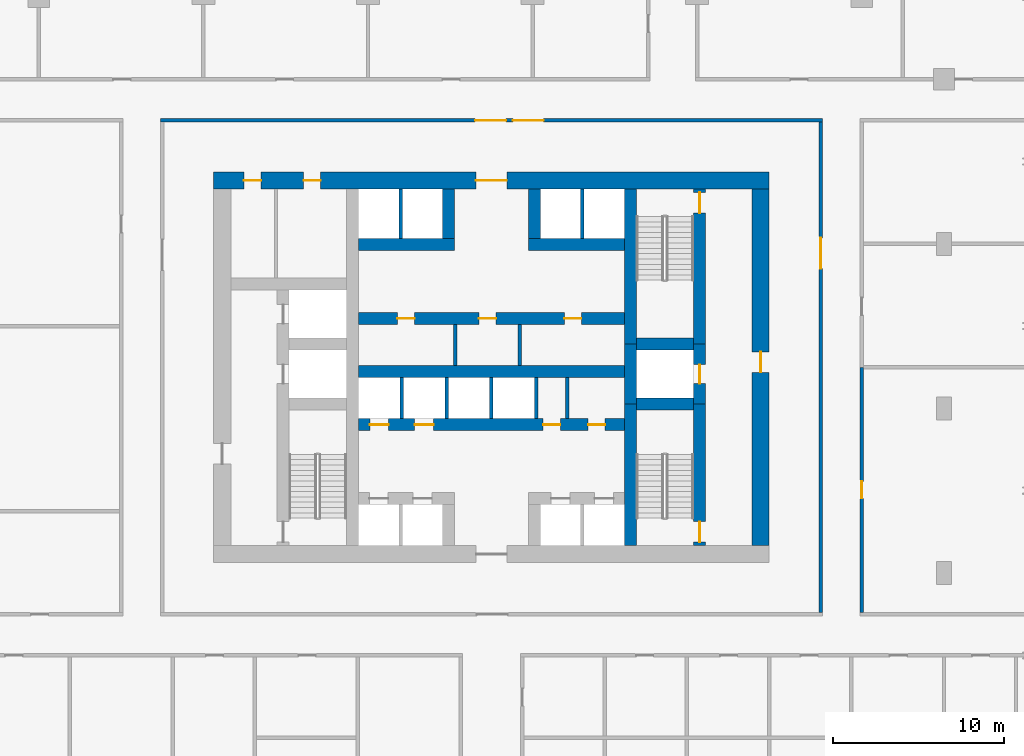
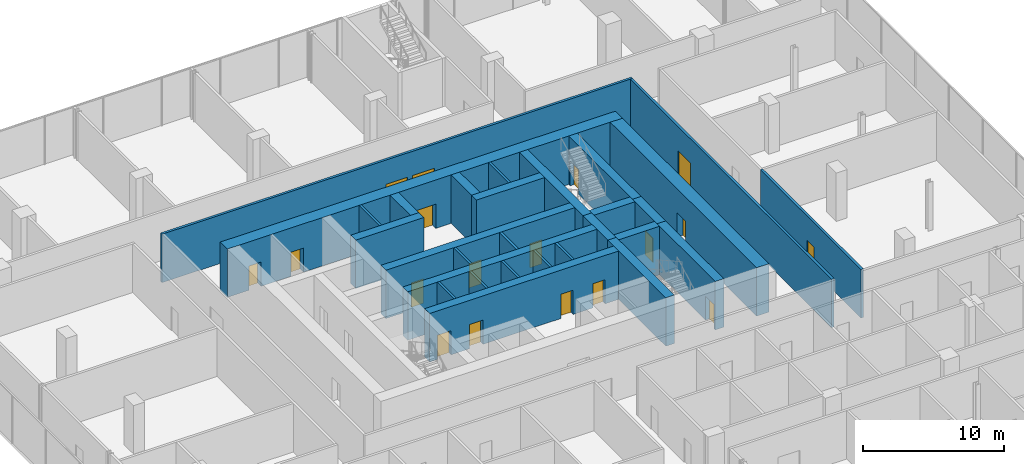
# One storey, part 36 of 45: 29 walls, 18 doors, 18 openings.
"""IFC4 building model written with IfcOpenShell, lengths in metres."""

from ifc_helpers import new_model, si_unit, direction, frame, frame_2d, origin, place, context, subcontext, project, spatial, rectangle, extrude, material, layer, layer_set, type_object, element, fill, save


model = new_model("IFC4")

# Units and contexts
model_context = context("Model", 3, precision=1e-05, world=origin(), true_north=direction((0.0, 1.0)))
body_context = subcontext(model_context, "Body", "Model", "MODEL_VIEW")
ifc_project = project(units=[si_unit("LENGTHUNIT", "METRE"), si_unit("AREAUNIT", "SQUARE_METRE"), si_unit("VOLUMEUNIT", "CUBIC_METRE"), si_unit("PLANEANGLEUNIT", "RADIAN"), si_unit("MASSUNIT", "GRAM", prefix="KILO")], contexts=[model_context])

# Site, building, storey
site_placement = place(None, origin())
site = spatial("IfcSite", under=ifc_project, at=site_placement, CompositionType="ELEMENT")
building_placement = place(site_placement, origin())
building = spatial("IfcBuilding", under=site, at=building_placement, Name="Madar Terraces", CompositionType="ELEMENT")
storey_placement = place(building_placement, frame((0.0, 0.0, 6.0)))
storey = spatial("IfcBuildingStorey", under=building, at=storey_placement, Name="L01", CompositionType="ELEMENT", Elevation=6.0)

# Walls
ifc_material_1 = material(Name="Concrete C80/95", Category="concrete")
ifc_layer_1 = layer(ifc_material_1, 0.699951171875)
ifc_layer_set_1 = layer_set([ifc_layer_1], Name="Concrete C80/95 (CIW1 RC wall 700)")
wall_type_1 = type_object("IfcWallType", Name="CIW1 RC wall 700", PredefinedType="SHEAR", material=ifc_layer_set_1)
wall_1_placement = place(storey_placement, frame((39.300048828125, 16.0, 0.0), z_axis=(0.0, 0.0, 1.0), x_axis=(0.0, 1.0, 0.0)))
element("IfcWall", 1, at=wall_1_placement, inside=storey, type_object=wall_type_1, Name="CORE SHAFT WALL", PredefinedType="SHEAR", context=body_context, shape_type="SweptSolid", body=[
    extrude(rectangle(XDim=8.25, YDim=0.699951171875, at=frame_2d((4.125, 0.0))), origin(), (0.0, 0.0, 1.0), 4.199951171875),
])
wall_2_placement = place(storey_placement, frame((39.300048828125, 24.25, 0.0), z_axis=(0.0, 0.0, 1.0), x_axis=(0.0, 1.0, 0.0)))
element("IfcWall", 2, at=wall_2_placement, inside=storey, type_object=wall_type_1, Name="CORE SHAFT WALL", PredefinedType="SHEAR", context=body_context, shape_type="SweptSolid", body=[
    extrude(rectangle(XDim=3.5, YDim=0.699951171875, at=frame_2d((1.75, 0.0))), origin(), (0.0, 0.0, 1.0), 4.199951171875),
])
wall_3_placement = place(storey_placement, frame((39.300048828125, 27.75, 0.0), z_axis=(0.0, 0.0, 1.0), x_axis=(0.0, 1.0, 0.0)))
element("IfcWall", 3, at=wall_3_placement, inside=storey, type_object=wall_type_1, Name="CORE SHAFT WALL", PredefinedType="SHEAR", context=body_context, shape_type="SweptSolid", body=[
    extrude(rectangle(XDim=9.050048828125, YDim=0.699951171875, at=frame_2d((4.52490234375, 0.0))), origin(), (0.0, 0.0, 1.0), 4.199951171875),
])

# Wall, opening, door
wall_4_placement = place(storey_placement, frame((43.35009765625, 16.0, 0.0), z_axis=(0.0, 0.0, 1.0), x_axis=(0.0, 1.0, 0.0)))
wall_4 = element("IfcWall", 4, at=wall_4_placement, inside=storey, type_object=wall_type_1, Name="CORE SHAFT WALL", PredefinedType="SHEAR", context=body_context, shape_type="SweptSolid", body=[
    extrude(rectangle(XDim=8.25, YDim=0.699951171875, at=frame_2d((4.125, 0.0))), origin(), (0.0, 0.0, 1.0), 4.199951171875),
])
opening_1_placement = place(wall_4_placement, frame((0.199951171875, 0.0, 0.0)))
opening_1 = element("IfcOpeningElement", 5, at=opening_1_placement, cuts=wall_4, Name="Opening SD1", PredefinedType="OPENING", context=body_context, shape_type="SweptSolid", body=[
    extrude(rectangle(XDim=1.199951171875, YDim=2.10009765625, at=frame_2d((0.60009765625, 1.050048828125))), frame((0.0, 0.35986328125, 0.0), z_axis=(0.0, -1.0, 0.0), x_axis=(1.0, 0.0, 0.0)), (0.0, 0.0, 1.0), 0.719970703125),
])
ifc_material_2 = material(Name="Steel door leaf", Category="steel")
door_type_1 = type_object("IfcDoorType", Name="Stair door 1200 x 2100", OperationType="NOTDEFINED", PredefinedType="DOOR", material=ifc_material_2)
door_1_placement = place(opening_1_placement, origin())
door_1 = element("IfcDoor", 6, at=door_1_placement, inside=storey, type_object=door_type_1, Name="STAIR DOOR", OperationType="SINGLE_SWING_RIGHT", OverallHeight=2.10009765625, OverallWidth=1.199951171875, PredefinedType="DOOR", context=body_context, shape_type="SweptSolid", body=[
    extrude(rectangle(XDim=1.199951171875, YDim=2.10009765625, at=frame_2d((0.60009765625, 1.050048828125))), frame((0.0, 0.02490234375, 0.0), z_axis=(0.0, -1.0, 0.0), x_axis=(1.0, 0.0, 0.0)), (0.0, 0.0, 1.0), 0.050048828125),
])
fill(opening_1, door_1)

wall_5_placement = place(storey_placement, frame((43.35009765625, 24.25, 0.0), z_axis=(0.0, 0.0, 1.0), x_axis=(0.0, 1.0, 0.0)))
wall_5 = element("IfcWall", 7, at=wall_5_placement, inside=storey, type_object=wall_type_1, Name="CORE SHAFT WALL", PredefinedType="SHEAR", context=body_context, shape_type="SweptSolid", body=[
    extrude(rectangle(XDim=3.5, YDim=0.699951171875, at=frame_2d((1.75, 0.0))), origin(), (0.0, 0.0, 1.0), 4.199951171875),
])
opening_2_placement = place(wall_5_placement, frame((1.199951171875, 0.0, 0.0)))
opening_2 = element("IfcOpeningElement", 8, at=opening_2_placement, cuts=wall_5, Name="Opening LD", PredefinedType="OPENING", context=body_context, shape_type="SweptSolid", body=[
    extrude(rectangle(XDim=1.10009765625, YDim=2.10009765625, at=frame_2d((0.550048828125, 1.050048828125))), frame((0.0, 0.35986328125, 0.0), z_axis=(0.0, -1.0, 0.0), x_axis=(1.0, 0.0, 0.0)), (0.0, 0.0, 1.0), 0.719970703125),
])
ifc_material_3 = material(Name="Stainless steel panel", Category="steel")
door_type_2 = type_object("IfcDoorType", Name="Lift landing door 1100 x 2100", OperationType="DOUBLE_DOOR_SLIDING", PredefinedType="DOOR", material=ifc_material_3)
door_2_placement = place(opening_2_placement, origin())
door_2 = element("IfcDoor", 9, at=door_2_placement, inside=storey, type_object=door_type_2, Name="LIFT LANDING DOOR", OperationType="DOUBLE_DOOR_SLIDING", OverallHeight=2.10009765625, OverallWidth=1.10009765625, PredefinedType="DOOR", context=body_context, shape_type="SweptSolid", body=[
    extrude(rectangle(XDim=1.10009765625, YDim=2.10009765625, at=frame_2d((0.550048828125, 1.050048828125))), frame((0.0, 0.02490234375, 0.0), z_axis=(0.0, -1.0, 0.0), x_axis=(1.0, 0.0, 0.0)), (0.0, 0.0, 1.0), 0.050048828125),
])
fill(opening_2, door_2)

wall_6_placement = place(storey_placement, frame((43.35009765625, 27.75, 0.0), z_axis=(0.0, 0.0, 1.0), x_axis=(0.0, 1.0, 0.0)))
wall_6 = element("IfcWall", 10, at=wall_6_placement, inside=storey, type_object=wall_type_1, Name="CORE SHAFT WALL", PredefinedType="SHEAR", context=body_context, shape_type="SweptSolid", body=[
    extrude(rectangle(XDim=9.050048828125, YDim=0.699951171875, at=frame_2d((4.52490234375, 0.0))), origin(), (0.0, 0.0, 1.0), 4.199951171875),
])
opening_3_placement = place(wall_6_placement, frame((7.64990234375, 0.0, 0.0)))
opening_3 = element("IfcOpeningElement", 11, at=opening_3_placement, cuts=wall_6, Name="Opening SD1", PredefinedType="OPENING", context=body_context, shape_type="SweptSolid", body=[
    extrude(rectangle(XDim=1.199951171875, YDim=2.10009765625, at=frame_2d((0.60009765625, 1.050048828125))), frame((0.0, 0.35986328125, 0.0), z_axis=(0.0, -1.0, 0.0), x_axis=(1.0, 0.0, 0.0)), (0.0, 0.0, 1.0), 0.719970703125),
])
door_3_placement = place(opening_3_placement, origin())
door_3 = element("IfcDoor", 12, at=door_3_placement, inside=storey, type_object=door_type_1, Name="STAIR DOOR", OperationType="SINGLE_SWING_LEFT", OverallHeight=2.10009765625, OverallWidth=1.199951171875, PredefinedType="DOOR", context=body_context, shape_type="SweptSolid", body=[
    extrude(rectangle(XDim=1.199951171875, YDim=2.10009765625, at=frame_2d((0.60009765625, 1.050048828125))), frame((0.0, 0.02490234375, 0.0), z_axis=(0.0, -1.0, 0.0), x_axis=(1.0, 0.0, 0.0)), (0.0, 0.0, 1.0), 0.050048828125),
])
fill(opening_3, door_3)

# Walls
for number, where, z_axis, x_axis, name in (
    (13, (39.64990234375, 24.25, 0.0), (0.0, 0.0, 1.0), (1.0, 0.0, 0.0), "CORE SHAFT WALL"),
    (14, (39.64990234375, 27.75, 0.0), (0.0, 0.0, 1.0), (1.0, 0.0, 0.0), "CORE SHAFT WALL"),
):
    element("IfcWall", number, at=place(storey_placement, frame(where, z_axis=z_axis, x_axis=x_axis)), inside=storey, type_object=wall_type_1, Name=name, PredefinedType="SHEAR", context=body_context, shape_type="SweptSolid", body=[
        extrude(rectangle(XDim=3.35009765625, YDim=0.699951171875, at=frame_2d((1.675048828125, 0.0))), origin(), (0.0, 0.0, 1.0), 4.199951171875),
    ])

# Wall, openings, doors
wall_7_placement = place(storey_placement, frame((23.449951171875, 23.050048828125, 0.0), z_axis=(0.0, 0.0, 1.0), x_axis=(1.0, 0.0, 0.0)))
wall_7 = element("IfcWall", 15, at=wall_7_placement, inside=storey, type_object=wall_type_1, Name="CORE SHAFT WALL", PredefinedType="SHEAR", context=body_context, shape_type="SweptSolid", body=[
    extrude(rectangle(XDim=15.5, YDim=0.699951171875, at=frame_2d((7.75, 0.0))), origin(), (0.0, 0.0, 1.0), 4.199951171875),
])
opening_4_placement = place(wall_7_placement, frame((0.658447265625, 0.0, 0.0)))
opening_4 = element("IfcOpeningElement", 16, at=opening_4_placement, cuts=wall_7, Name="Opening LD", PredefinedType="OPENING", context=body_context, shape_type="SweptSolid", body=[
    extrude(rectangle(XDim=1.10009765625, YDim=2.10009765625, at=frame_2d((0.550048828125, 1.050048828125))), frame((0.0, 0.35986328125, 0.0), z_axis=(0.0, -1.0, 0.0), x_axis=(1.0, 0.0, 0.0)), (0.0, 0.0, 1.0), 0.719970703125),
])
opening_5_placement = place(wall_7_placement, frame((3.27490234375, 0.0, 0.0)))
opening_5 = element("IfcOpeningElement", 17, at=opening_5_placement, cuts=wall_7, Name="Opening LD", PredefinedType="OPENING", context=body_context, shape_type="SweptSolid", body=[
    extrude(rectangle(XDim=1.10009765625, YDim=2.10009765625, at=frame_2d((0.550048828125, 1.050048828125))), frame((0.0, 0.35986328125, 0.0), z_axis=(0.0, -1.0, 0.0), x_axis=(1.0, 0.0, 0.0)), (0.0, 0.0, 1.0), 0.719970703125),
])
opening_6_placement = place(wall_7_placement, frame((10.772216796875, 0.0, 0.0)))
opening_6 = element("IfcOpeningElement", 18, at=opening_6_placement, cuts=wall_7, Name="Opening KD2", PredefinedType="OPENING", context=body_context, shape_type="SweptSolid", body=[
    extrude(rectangle(XDim=1.0, YDim=2.10009765625, at=frame_2d((0.5, 1.050048828125))), frame((0.0, 0.35986328125, 0.0), z_axis=(0.0, -1.0, 0.0), x_axis=(1.0, 0.0, 0.0)), (0.0, 0.0, 1.0), 0.719970703125),
])
opening_7_placement = place(wall_7_placement, frame((13.388916015625, 0.0, 0.0)))
opening_7 = element("IfcOpeningElement", 19, at=opening_7_placement, cuts=wall_7, Name="Opening KD2", PredefinedType="OPENING", context=body_context, shape_type="SweptSolid", body=[
    extrude(rectangle(XDim=1.0, YDim=2.10009765625, at=frame_2d((0.5, 1.050048828125))), frame((0.0, 0.35986328125, 0.0), z_axis=(0.0, -1.0, 0.0), x_axis=(1.0, 0.0, 0.0)), (0.0, 0.0, 1.0), 0.719970703125),
])
door_4_placement = place(opening_4_placement, origin())
door_4 = element("IfcDoor", 20, at=door_4_placement, inside=storey, type_object=door_type_2, Name="LIFT LANDING DOOR", OperationType="DOUBLE_DOOR_SLIDING", OverallHeight=2.10009765625, OverallWidth=1.10009765625, PredefinedType="DOOR", context=body_context, shape_type="SweptSolid", body=[
    extrude(rectangle(XDim=1.10009765625, YDim=2.10009765625, at=frame_2d((0.550048828125, 1.050048828125))), frame((0.0, 0.02490234375, 0.0), z_axis=(0.0, -1.0, 0.0), x_axis=(1.0, 0.0, 0.0)), (0.0, 0.0, 1.0), 0.050048828125),
])
fill(opening_4, door_4)
door_5_placement = place(opening_5_placement, origin())
door_5 = element("IfcDoor", 21, at=door_5_placement, inside=storey, type_object=door_type_2, Name="LIFT LANDING DOOR", OperationType="DOUBLE_DOOR_SLIDING", OverallHeight=2.10009765625, OverallWidth=1.10009765625, PredefinedType="DOOR", context=body_context, shape_type="SweptSolid", body=[
    extrude(rectangle(XDim=1.10009765625, YDim=2.10009765625, at=frame_2d((0.550048828125, 1.050048828125))), frame((0.0, 0.02490234375, 0.0), z_axis=(0.0, -1.0, 0.0), x_axis=(1.0, 0.0, 0.0)), (0.0, 0.0, 1.0), 0.050048828125),
])
fill(opening_5, door_5)
ifc_material_4 = material(Name="Steel door leaf", Category="steel")
door_type_3 = type_object("IfcDoorType", Name="Service room door 1000 x 2100", OperationType="NOTDEFINED", PredefinedType="DOOR", material=ifc_material_4)
door_6_placement = place(opening_6_placement, frame((1.0, 0.0, 0.0), z_axis=(0.0, 0.0, 1.0), x_axis=(-1.0, 0.0, 0.0)))
door_6 = element("IfcDoor", 22, at=door_6_placement, inside=storey, type_object=door_type_3, Name="SERVICE ROOM DOOR", OperationType="SINGLE_SWING_RIGHT", OverallHeight=2.10009765625, OverallWidth=1.0, PredefinedType="DOOR", context=body_context, shape_type="SweptSolid", body=[
    extrude(rectangle(XDim=1.0, YDim=2.10009765625, at=frame_2d((0.5, 1.050048828125))), frame((0.0, 0.02490234375, 0.0), z_axis=(0.0, -1.0, 0.0), x_axis=(1.0, 0.0, 0.0)), (0.0, 0.0, 1.0), 0.050048828125),
])
fill(opening_6, door_6)
door_7_placement = place(opening_7_placement, frame((1.0, 0.0, 0.0), z_axis=(0.0, 0.0, 1.0), x_axis=(-1.0, 0.0, 0.0)))
door_7 = element("IfcDoor", 23, at=door_7_placement, inside=storey, type_object=door_type_3, Name="SERVICE ROOM DOOR", OperationType="SINGLE_SWING_LEFT", OverallHeight=2.10009765625, OverallWidth=1.0, PredefinedType="DOOR", context=body_context, shape_type="SweptSolid", body=[
    extrude(rectangle(XDim=1.0, YDim=2.10009765625, at=frame_2d((0.5, 1.050048828125))), frame((0.0, 0.02490234375, 0.0), z_axis=(0.0, -1.0, 0.0), x_axis=(1.0, 0.0, 0.0)), (0.0, 0.0, 1.0), 0.050048828125),
])
fill(opening_7, door_7)

# Wall
wall_8_placement = place(storey_placement, frame((23.449951171875, 26.14990234375, 0.0), z_axis=(0.0, 0.0, 1.0), x_axis=(1.0, 0.0, 0.0)))
element("IfcWall", 24, at=wall_8_placement, inside=storey, type_object=wall_type_1, Name="CORE SHAFT WALL", PredefinedType="SHEAR", context=body_context, shape_type="SweptSolid", body=[
    extrude(rectangle(XDim=15.5, YDim=0.699951171875, at=frame_2d((7.75, 0.0))), origin(), (0.0, 0.0, 1.0), 4.199951171875),
])

# Wall, openings, doors
wall_9_placement = place(storey_placement, frame((23.449951171875, 29.25, 0.0), z_axis=(0.0, 0.0, 1.0), x_axis=(1.0, 0.0, 0.0)))
wall_9 = element("IfcWall", 25, at=wall_9_placement, inside=storey, type_object=wall_type_1, Name="CORE SHAFT WALL", PredefinedType="SHEAR", context=body_context, shape_type="SweptSolid", body=[
    extrude(rectangle(XDim=15.5, YDim=0.699951171875, at=frame_2d((7.75, 0.0))), origin(), (0.0, 0.0, 1.0), 4.199951171875),
])
opening_8_placement = place(wall_9_placement, frame((2.265869140625, 0.0, 0.0)))
opening_8 = element("IfcOpeningElement", 26, at=opening_8_placement, cuts=wall_9, Name="Opening KD2", PredefinedType="OPENING", context=body_context, shape_type="SweptSolid", body=[
    extrude(rectangle(XDim=1.0, YDim=2.10009765625, at=frame_2d((0.5, 1.050048828125))), frame((0.0, 0.35986328125, 0.0), z_axis=(0.0, -1.0, 0.0), x_axis=(1.0, 0.0, 0.0)), (0.0, 0.0, 1.0), 0.719970703125),
])
opening_9_placement = place(wall_9_placement, frame((7.017578125, 0.0, 0.0)))
opening_9 = element("IfcOpeningElement", 27, at=opening_9_placement, cuts=wall_9, Name="Opening KD2", PredefinedType="OPENING", context=body_context, shape_type="SweptSolid", body=[
    extrude(rectangle(XDim=1.0, YDim=2.10009765625, at=frame_2d((0.5, 1.050048828125))), frame((0.0, 0.35986328125, 0.0), z_axis=(0.0, -1.0, 0.0), x_axis=(1.0, 0.0, 0.0)), (0.0, 0.0, 1.0), 0.719970703125),
])
opening_10_placement = place(wall_9_placement, frame((12.001708984375, 0.0, 0.0)))
opening_10 = element("IfcOpeningElement", 28, at=opening_10_placement, cuts=wall_9, Name="Opening KD2", PredefinedType="OPENING", context=body_context, shape_type="SweptSolid", body=[
    extrude(rectangle(XDim=1.0, YDim=2.10009765625, at=frame_2d((0.5, 1.050048828125))), frame((0.0, 0.35986328125, 0.0), z_axis=(0.0, -1.0, 0.0), x_axis=(1.0, 0.0, 0.0)), (0.0, 0.0, 1.0), 0.719970703125),
])
door_8_placement = place(opening_8_placement, origin())
door_8 = element("IfcDoor", 29, at=door_8_placement, inside=storey, type_object=door_type_3, Name="SERVICE ROOM DOOR", OperationType="SINGLE_SWING_RIGHT", OverallHeight=2.10009765625, OverallWidth=1.0, PredefinedType="DOOR", context=body_context, shape_type="SweptSolid", body=[
    extrude(rectangle(XDim=1.0, YDim=2.10009765625, at=frame_2d((0.5, 1.050048828125))), frame((0.0, 0.02490234375, 0.0), z_axis=(0.0, -1.0, 0.0), x_axis=(1.0, 0.0, 0.0)), (0.0, 0.0, 1.0), 0.050048828125),
])
fill(opening_8, door_8)
door_9_placement = place(opening_9_placement, origin())
door_9 = element("IfcDoor", 30, at=door_9_placement, inside=storey, type_object=door_type_3, Name="SERVICE ROOM DOOR", OperationType="SINGLE_SWING_LEFT", OverallHeight=2.10009765625, OverallWidth=1.0, PredefinedType="DOOR", context=body_context, shape_type="SweptSolid", body=[
    extrude(rectangle(XDim=1.0, YDim=2.10009765625, at=frame_2d((0.5, 1.050048828125))), frame((0.0, 0.02490234375, 0.0), z_axis=(0.0, -1.0, 0.0), x_axis=(1.0, 0.0, 0.0)), (0.0, 0.0, 1.0), 0.050048828125),
])
fill(opening_9, door_9)
door_10_placement = place(opening_10_placement, origin())
door_10 = element("IfcDoor", 31, at=door_10_placement, inside=storey, type_object=door_type_3, Name="SERVICE ROOM DOOR", OperationType="SINGLE_SWING_RIGHT", OverallHeight=2.10009765625, OverallWidth=1.0, PredefinedType="DOOR", context=body_context, shape_type="SweptSolid", body=[
    extrude(rectangle(XDim=1.0, YDim=2.10009765625, at=frame_2d((0.5, 1.050048828125))), frame((0.0, 0.02490234375, 0.0), z_axis=(0.0, -1.0, 0.0), x_axis=(1.0, 0.0, 0.0)), (0.0, 0.0, 1.0), 0.050048828125),
])
fill(opening_10, door_10)

# Walls
wall_10_placement = place(storey_placement, frame((23.449951171875, 33.550048828125, 0.0), z_axis=(0.0, 0.0, 1.0), x_axis=(1.0, 0.0, 0.0)))
element("IfcWall", 32, at=wall_10_placement, inside=storey, type_object=wall_type_1, Name="CORE SHAFT WALL", PredefinedType="SHEAR", context=body_context, shape_type="SweptSolid", body=[
    extrude(rectangle(XDim=5.60009765625, YDim=0.699951171875, at=frame_2d((2.800048828125, 0.0))), origin(), (0.0, 0.0, 1.0), 4.199951171875),
])
wall_11_placement = place(storey_placement, frame((33.35009765625, 33.550048828125, 0.0), z_axis=(0.0, 0.0, 1.0), x_axis=(1.0, 0.0, 0.0)))
element("IfcWall", 33, at=wall_11_placement, inside=storey, type_object=wall_type_1, Name="CORE SHAFT WALL", PredefinedType="SHEAR", context=body_context, shape_type="SweptSolid", body=[
    extrude(rectangle(XDim=5.599853515625, YDim=0.699951171875, at=frame_2d((2.7998046875, 0.0))), origin(), (0.0, 0.0, 1.0), 4.199951171875),
])
for number, where, z_axis, x_axis, name in (
    (34, (28.699951171875, 33.89990234375, 0.0), (0.0, 0.0, 1.0), (0.0, 1.0, 0.0), "CORE SHAFT WALL"),
    (35, (33.699951171875, 33.89990234375, 0.0), (0.0, 0.0, 1.0), (0.0, 1.0, 0.0), "CORE SHAFT WALL"),
):
    element("IfcWall", number, at=place(storey_placement, frame(where, z_axis=z_axis, x_axis=x_axis)), inside=storey, type_object=wall_type_1, Name=name, PredefinedType="SHEAR", context=body_context, shape_type="SweptSolid", body=[
        extrude(rectangle(XDim=2.900146484375, YDim=0.699951171875, at=frame_2d((1.4501953125, 0.0))), origin(), (0.0, 0.0, 1.0), 4.199951171875),
    ])

# Wall, openings, doors
ifc_material_5 = material(Name="Concrete C80/95", Category="concrete")
ifc_layer_2 = layer(ifc_material_5, 1.0)
ifc_layer_set_2 = layer_set([ifc_layer_2], Name="Concrete C80/95 (CRW1 RC wall 1000)")
wall_type_2 = type_object("IfcWallType", Name="CRW1 RC wall 1000", PredefinedType="SHEAR", material=ifc_layer_set_2)
wall_12_placement = place(storey_placement, frame((15.0, 37.300048828125, 0.0), z_axis=(0.0, 0.0, 1.0), x_axis=(1.0, 0.0, 0.0)))
wall_12 = element("IfcWall", 36, at=wall_12_placement, inside=storey, type_object=wall_type_2, Name="CORE OUTER WALL", PredefinedType="SHEAR", context=body_context, shape_type="SweptSolid", body=[
    extrude(rectangle(XDim=32.39990234375, YDim=1.0, at=frame_2d((16.199951171875, 0.0))), origin(), (0.0, 0.0, 1.0), 4.199951171875),
])
opening_11_placement = place(wall_12_placement, frame((15.300048828125, 0.0, 0.0)))
opening_11 = element("IfcOpeningElement", 37, at=opening_11_placement, cuts=wall_12, Name="Opening KD1", PredefinedType="OPENING", context=body_context, shape_type="SweptSolid", body=[
    extrude(rectangle(XDim=1.800048828125, YDim=2.10009765625, at=frame_2d((0.89990234375, 1.050048828125))), frame((0.0, 0.510009765625, 0.0), z_axis=(0.0, -1.0, 0.0), x_axis=(1.0, 0.0, 0.0)), (0.0, 0.0, 1.0), 1.02001953125),
])
opening_12_placement = place(wall_12_placement, frame((1.766357421875, 0.0, 0.0)))
opening_12 = element("IfcOpeningElement", 38, at=opening_12_placement, cuts=wall_12, Name="Opening KD2", PredefinedType="OPENING", context=body_context, shape_type="SweptSolid", body=[
    extrude(rectangle(XDim=1.0, YDim=2.10009765625, at=frame_2d((0.5, 1.050048828125))), frame((0.0, 0.510009765625, 0.0), z_axis=(0.0, -1.0, 0.0), x_axis=(1.0, 0.0, 0.0)), (0.0, 0.0, 1.0), 1.02001953125),
])
opening_13_placement = place(wall_12_placement, frame((5.2412109375, 0.0, 0.0)))
opening_13 = element("IfcOpeningElement", 39, at=opening_13_placement, cuts=wall_12, Name="Opening KD2", PredefinedType="OPENING", context=body_context, shape_type="SweptSolid", body=[
    extrude(rectangle(XDim=1.0, YDim=2.10009765625, at=frame_2d((0.5, 1.050048828125))), frame((0.0, 0.510009765625, 0.0), z_axis=(0.0, -1.0, 0.0), x_axis=(1.0, 0.0, 0.0)), (0.0, 0.0, 1.0), 1.02001953125),
])
ifc_material_6 = material(Name="Steel door leaf", Category="steel")
door_type_4 = type_object("IfcDoorType", Name="Lobby door pair 1800 x 2100", OperationType="DOUBLE_DOOR_SINGLE_SWING", PredefinedType="DOOR", material=ifc_material_6)
door_11_placement = place(opening_11_placement, origin())
door_11 = element("IfcDoor", 40, at=door_11_placement, inside=storey, type_object=door_type_4, Name="LIFT LOBBY DOOR", OperationType="DOUBLE_DOOR_SINGLE_SWING", OverallHeight=2.10009765625, OverallWidth=1.800048828125, PredefinedType="DOOR", context=body_context, shape_type="SweptSolid", body=[
    extrude(rectangle(XDim=1.800048828125, YDim=2.10009765625, at=frame_2d((0.89990234375, 1.050048828125))), frame((0.0, 0.02490234375, 0.0), z_axis=(0.0, -1.0, 0.0), x_axis=(1.0, 0.0, 0.0)), (0.0, 0.0, 1.0), 0.050048828125),
])
fill(opening_11, door_11)
door_12_placement = place(opening_12_placement, origin())
door_12 = element("IfcDoor", 41, at=door_12_placement, inside=storey, type_object=door_type_3, Name="SERVICE ROOM DOOR", OperationType="SINGLE_SWING_RIGHT", OverallHeight=2.10009765625, OverallWidth=1.0, PredefinedType="DOOR", context=body_context, shape_type="SweptSolid", body=[
    extrude(rectangle(XDim=1.0, YDim=2.10009765625, at=frame_2d((0.5, 1.050048828125))), frame((0.0, 0.02490234375, 0.0), z_axis=(0.0, -1.0, 0.0), x_axis=(1.0, 0.0, 0.0)), (0.0, 0.0, 1.0), 0.050048828125),
])
fill(opening_12, door_12)
door_13_placement = place(opening_13_placement, origin())
door_13 = element("IfcDoor", 42, at=door_13_placement, inside=storey, type_object=door_type_3, Name="SERVICE ROOM DOOR", OperationType="SINGLE_SWING_LEFT", OverallHeight=2.10009765625, OverallWidth=1.0, PredefinedType="DOOR", context=body_context, shape_type="SweptSolid", body=[
    extrude(rectangle(XDim=1.0, YDim=2.10009765625, at=frame_2d((0.5, 1.050048828125))), frame((0.0, 0.02490234375, 0.0), z_axis=(0.0, -1.0, 0.0), x_axis=(1.0, 0.0, 0.0)), (0.0, 0.0, 1.0), 0.050048828125),
])
fill(opening_13, door_13)

# Wall, opening, door
wall_13_placement = place(storey_placement, frame((46.89990234375, 16.0, 0.0), z_axis=(0.0, 0.0, 1.0), x_axis=(0.0, 1.0, 0.0)))
wall_13 = element("IfcWall", 43, at=wall_13_placement, inside=storey, type_object=wall_type_2, Name="CORE OUTER WALL", PredefinedType="SHEAR", context=body_context, shape_type="SweptSolid", body=[
    extrude(rectangle(XDim=20.800048828125, YDim=1.0, at=frame_2d((10.39990234375, 0.0))), origin(), (0.0, 0.0, 1.0), 4.199951171875),
])
opening_14_placement = place(wall_13_placement, frame((10.10009765625, 0.0, 0.0)))
opening_14 = element("IfcOpeningElement", 44, at=opening_14_placement, cuts=wall_13, Name="Opening SD1", PredefinedType="OPENING", context=body_context, shape_type="SweptSolid", body=[
    extrude(rectangle(XDim=1.199951171875, YDim=2.10009765625, at=frame_2d((0.60009765625, 1.050048828125))), frame((0.0, 0.510009765625, 0.0), z_axis=(0.0, -1.0, 0.0), x_axis=(1.0, 0.0, 0.0)), (0.0, 0.0, 1.0), 1.02001953125),
])
door_14_placement = place(opening_14_placement, origin())
door_14 = element("IfcDoor", 45, at=door_14_placement, inside=storey, type_object=door_type_1, Name="STAIR DOOR", OperationType="SINGLE_SWING_LEFT", OverallHeight=2.10009765625, OverallWidth=1.199951171875, PredefinedType="DOOR", context=body_context, shape_type="SweptSolid", body=[
    extrude(rectangle(XDim=1.199951171875, YDim=2.10009765625, at=frame_2d((0.60009765625, 1.050048828125))), frame((0.0, 0.02490234375, 0.0), z_axis=(0.0, -1.0, 0.0), x_axis=(1.0, 0.0, 0.0)), (0.0, 0.0, 1.0), 0.050048828125),
])
fill(opening_14, door_14)

# Walls
ifc_material_7 = material(Name="Masonry blockwork", Category="masonry")
ifc_layer_3 = layer(ifc_material_7, 0.199951171875)
ifc_layer_set_3 = layer_set([ifc_layer_3], Name="Core partition 200 blockwork")
wall_type_3 = type_object("IfcWallType", Name="Core partition 200 blockwork", PredefinedType="PARTITIONING", material=ifc_layer_set_3)
wall_14_placement = place(storey_placement, frame((35.6279296875, 23.39990234375, 0.0), z_axis=(0.0, 0.0, 1.0), x_axis=(0.0, 1.0, 0.0)))
element("IfcWall", 46, at=wall_14_placement, inside=storey, type_object=wall_type_3, Name="SERVICE ROOM PARTITION", PredefinedType="PARTITIONING", context=body_context, shape_type="SweptSolid", body=[
    extrude(rectangle(XDim=2.400146484375, YDim=0.199951171875, at=frame_2d((1.2001953125, 0.0))), origin(), (0.0, 0.0, 1.0), 4.199951171875),
])
for number, where, z_axis, x_axis, name in (
    (47, (29.081787109375, 26.5, 0.0), (0.0, 0.0, 1.0), (0.0, 1.0, 0.0), "SERVICE ROOM PARTITION"),
    (48, (32.853271484375, 26.5, 0.0), (0.0, 0.0, 1.0), (0.0, 1.0, 0.0), "SERVICE ROOM PARTITION"),
):
    element("IfcWall", number, at=place(storey_placement, frame(where, z_axis=z_axis, x_axis=x_axis)), inside=storey, type_object=wall_type_3, Name=name, PredefinedType="PARTITIONING", context=body_context, shape_type="SweptSolid", body=[
        extrude(rectangle(XDim=2.39990234375, YDim=0.199951171875, at=frame_2d((1.199951171875, 0.0))), origin(), (0.0, 0.0, 1.0), 4.199951171875),
    ])
ifc_material_8 = material(Name="Concrete C40/50", Category="concrete")
ifc_layer_4 = layer(ifc_material_8, 0.199951171875)
ifc_layer_set_4 = layer_set([ifc_layer_4], Name="Core shaft dividing wall 200 C40/50")
wall_type_4 = type_object("IfcWallType", Name="Core shaft dividing wall 200 C40/50", PredefinedType="SOLIDWALL", material=ifc_layer_set_4)
for number, where, z_axis, x_axis, name in (
    (49, (25.966552734375, 23.39990234375, 0.0), (0.0, 0.0, 1.0), (0.0, 1.0, 0.0), "SHAFT DIVIDING WALL"),
    (50, (28.583251953125, 23.39990234375, 0.0), (0.0, 0.0, 1.0), (0.0, 1.0, 0.0), "SHAFT DIVIDING WALL"),
    (51, (31.199951171875, 23.39990234375, 0.0), (0.0, 0.0, 1.0), (0.0, 1.0, 0.0), "SHAFT DIVIDING WALL"),
    (52, (33.816650390625, 23.39990234375, 0.0), (0.0, 0.0, 1.0), (0.0, 1.0, 0.0), "SHAFT DIVIDING WALL"),
):
    element("IfcWall", number, at=place(storey_placement, frame(where, z_axis=z_axis, x_axis=x_axis)), inside=storey, type_object=wall_type_4, Name=name, PredefinedType="SOLIDWALL", context=body_context, shape_type="SweptSolid", body=[
        extrude(rectangle(XDim=2.400146484375, YDim=0.199951171875, at=frame_2d((1.2001953125, 0.0))), origin(), (0.0, 0.0, 1.0), 4.199951171875),
    ])
for number, where, z_axis, x_axis, name in (
    (53, (25.89990234375, 33.89990234375, 0.0), (0.0, 0.0, 1.0), (0.0, 1.0, 0.0), "SHAFT DIVIDING WALL"),
    (54, (36.5, 33.89990234375, 0.0), (0.0, 0.0, 1.0), (0.0, 1.0, 0.0), "SHAFT DIVIDING WALL"),
):
    element("IfcWall", number, at=place(storey_placement, frame(where, z_axis=z_axis, x_axis=x_axis)), inside=storey, type_object=wall_type_4, Name=name, PredefinedType="SOLIDWALL", context=body_context, shape_type="SweptSolid", body=[
        extrude(rectangle(XDim=2.900146484375, YDim=0.199951171875, at=frame_2d((1.4501953125, 0.0))), origin(), (0.0, 0.0, 1.0), 4.199951171875),
    ])

# Wall, opening, door
ifc_material_9 = material(Name="Blockwork", Category="masonry")
ifc_layer_5 = layer(ifc_material_9, 0.199951171875)
ifc_layer_set_5 = layer_set([ifc_layer_5], Name="Partition 200 EI 120")
wall_type_5 = type_object("IfcWallType", Name="Partition 200 EI 120", PredefinedType="PARTITIONING", material=ifc_layer_set_5)
wall_15_placement = place(storey_placement, frame((52.800048828125, 26.39990234375, 0.0), z_axis=(0.0, 0.0, 1.0), x_axis=(0.0, -1.0, 0.0)))
wall_15 = element("IfcWall", 55, at=wall_15_placement, inside=storey, type_object=wall_type_5, Name="Wall COMMS ROOM / PODIUM CORRIDOR", PredefinedType="PARTITIONING", context=body_context, shape_type="SweptSolid", body=[
    extrude(rectangle(XDim=14.2998046875, YDim=0.199951171875, at=frame_2d((7.14990234375, 0.0))), origin(), (0.0, 0.0, 1.0), 4.199951171875),
])
opening_15_placement = place(wall_15_placement, frame((6.64990234375, 0.0, 0.0)))
opening_15 = element("IfcOpeningElement", 56, at=opening_15_placement, cuts=wall_15, Name="Opening D33", PredefinedType="OPENING", context=body_context, shape_type="SweptSolid", body=[
    extrude(rectangle(XDim=1.0, YDim=2.10009765625, at=frame_2d((0.5, 1.050048828125))), frame((0.0, 0.10986328125, 0.0), z_axis=(0.0, -1.0, 0.0), x_axis=(1.0, 0.0, 0.0)), (0.0, 0.0, 1.0), 0.219970703125),
])
ifc_material_10 = material(Name="Timber door leaf, fire-rated", Category="wood")
door_type_5 = type_object("IfcDoorType", Name="Podium door 1000 x 2100 FD90S", OperationType="NOTDEFINED", PredefinedType="DOOR", material=ifc_material_10)
door_15_placement = place(opening_15_placement, origin())
door_15 = element("IfcDoor", 57, at=door_15_placement, inside=storey, type_object=door_type_5, Name="Door COMMS ROOM / PODIUM CORRIDOR", OperationType="SINGLE_SWING_RIGHT", OverallHeight=2.10009765625, OverallWidth=1.0, PredefinedType="DOOR", context=body_context, shape_type="SweptSolid", body=[
    extrude(rectangle(XDim=1.0, YDim=2.10009765625, at=frame_2d((0.5, 1.050048828125))), frame((0.0, 0.02490234375, 0.0), z_axis=(0.0, -1.0, 0.0), x_axis=(1.0, 0.0, 0.0)), (0.0, 0.0, 1.0), 0.050048828125),
])
fill(opening_15, door_15)

# Wall, openings, doors
ifc_material_11 = material(Name="Gypsum board partition, fire-rated")
ifc_layer_6 = layer(ifc_material_11, 0.199951171875)
ifc_layer_set_6 = layer_set([ifc_layer_6], Name="Partition 200 EI 60")
wall_type_6 = type_object("IfcWallType", Name="Partition 200 EI 60", PredefinedType="PARTITIONING", material=ifc_layer_set_6)
wall_16_placement = place(storey_placement, frame((50.5, 40.800048828125, 0.0), z_axis=(0.0, 0.0, 1.0), x_axis=(-1.0, 0.0, 0.0)))
wall_16 = element("IfcWall", 58, at=wall_16_placement, inside=storey, type_object=wall_type_6, Name="Wall PODIUM CORRIDOR / RING CORRIDOR", PredefinedType="PARTITIONING", context=body_context, shape_type="SweptSolid", body=[
    extrude(rectangle(XDim=38.60009765625, YDim=0.199951171875, at=frame_2d((19.300048828125, 0.0))), origin(), (0.0, 0.0, 1.0), 4.199951171875),
])
opening_16_placement = place(wall_16_placement, frame((18.449951171875, 0.0, 0.0)))
opening_16 = element("IfcOpeningElement", 59, at=opening_16_placement, cuts=wall_16, Name="Opening D30", PredefinedType="OPENING", context=body_context, shape_type="SweptSolid", body=[
    extrude(rectangle(XDim=1.800048828125, YDim=2.10009765625, at=frame_2d((0.89990234375, 1.050048828125))), frame((0.0, 0.10986328125, 0.0), z_axis=(0.0, -1.0, 0.0), x_axis=(1.0, 0.0, 0.0)), (0.0, 0.0, 1.0), 0.219970703125),
])
opening_17_placement = place(wall_16_placement, frame((16.25, 0.0, 0.0)))
opening_17 = element("IfcOpeningElement", 60, at=opening_17_placement, cuts=wall_16, Name="Opening D30", PredefinedType="OPENING", context=body_context, shape_type="SweptSolid", body=[
    extrude(rectangle(XDim=1.800048828125, YDim=2.10009765625, at=frame_2d((0.89990234375, 1.050048828125))), frame((0.0, 0.10986328125, 0.0), z_axis=(0.0, -1.0, 0.0), x_axis=(1.0, 0.0, 0.0)), (0.0, 0.0, 1.0), 0.219970703125),
])
ifc_material_12 = material(Name="Timber door leaf, fire-rated", Category="wood")
door_type_6 = type_object("IfcDoorType", Name="Podium double door 1800 x 2100 FD30S", OperationType="DOUBLE_DOOR_SINGLE_SWING", PredefinedType="DOOR", material=ifc_material_12)
door_16_placement = place(opening_16_placement, origin())
door_16 = element("IfcDoor", 61, at=door_16_placement, inside=storey, type_object=door_type_6, Name="Door PODIUM CORRIDOR / RING CORRIDOR", OperationType="DOUBLE_DOOR_SINGLE_SWING", OverallHeight=2.10009765625, OverallWidth=1.800048828125, PredefinedType="DOOR", context=body_context, shape_type="SweptSolid", body=[
    extrude(rectangle(XDim=1.800048828125, YDim=2.10009765625, at=frame_2d((0.89990234375, 1.050048828125))), frame((0.0, 0.02490234375, 0.0), z_axis=(0.0, -1.0, 0.0), x_axis=(1.0, 0.0, 0.0)), (0.0, 0.0, 1.0), 0.050048828125),
])
fill(opening_16, door_16)
door_17_placement = place(opening_17_placement, origin())
door_17 = element("IfcDoor", 62, at=door_17_placement, inside=storey, type_object=door_type_6, Name="Door PODIUM CORRIDOR / RING CORRIDOR", OperationType="DOUBLE_DOOR_SINGLE_SWING", OverallHeight=2.10009765625, OverallWidth=1.800048828125, PredefinedType="DOOR", context=body_context, shape_type="SweptSolid", body=[
    extrude(rectangle(XDim=1.800048828125, YDim=2.10009765625, at=frame_2d((0.89990234375, 1.050048828125))), frame((0.0, 0.02490234375, 0.0), z_axis=(0.0, -1.0, 0.0), x_axis=(1.0, 0.0, 0.0)), (0.0, 0.0, 1.0), 0.050048828125),
])
fill(opening_17, door_17)

# Wall, opening, door
wall_17_placement = place(storey_placement, frame((50.39990234375, 12.10009765625, 0.0), z_axis=(0.0, 0.0, 1.0), x_axis=(0.0, 1.0, 0.0)))
wall_17 = element("IfcWall", 63, at=wall_17_placement, inside=storey, type_object=wall_type_6, Name="Wall PODIUM CORRIDOR / RING CORRIDOR", PredefinedType="PARTITIONING", context=body_context, shape_type="SweptSolid", body=[
    extrude(rectangle(XDim=28.599853515625, YDim=0.199951171875, at=frame_2d((14.2998046875, 0.0))), origin(), (0.0, 0.0, 1.0), 4.199951171875),
])
opening_18_placement = place(wall_17_placement, frame((20.050048828125, 0.0, 0.0)))
opening_18 = element("IfcOpeningElement", 64, at=opening_18_placement, cuts=wall_17, Name="Opening D30", PredefinedType="OPENING", context=body_context, shape_type="SweptSolid", body=[
    extrude(rectangle(XDim=1.800048828125, YDim=2.10009765625, at=frame_2d((0.89990234375, 1.050048828125))), frame((0.0, 0.10986328125, 0.0), z_axis=(0.0, -1.0, 0.0), x_axis=(1.0, 0.0, 0.0)), (0.0, 0.0, 1.0), 0.219970703125),
])
door_18_placement = place(opening_18_placement, origin())
door_18 = element("IfcDoor", 65, at=door_18_placement, inside=storey, type_object=door_type_6, Name="Door PODIUM CORRIDOR / RING CORRIDOR", OperationType="DOUBLE_DOOR_SINGLE_SWING", OverallHeight=2.10009765625, OverallWidth=1.800048828125, PredefinedType="DOOR", context=body_context, shape_type="SweptSolid", body=[
    extrude(rectangle(XDim=1.800048828125, YDim=2.10009765625, at=frame_2d((0.89990234375, 1.050048828125))), frame((0.0, 0.02490234375, 0.0), z_axis=(0.0, -1.0, 0.0), x_axis=(1.0, 0.0, 0.0)), (0.0, 0.0, 1.0), 0.050048828125),
])
fill(opening_18, door_18)

save(model, "model.ifc")
